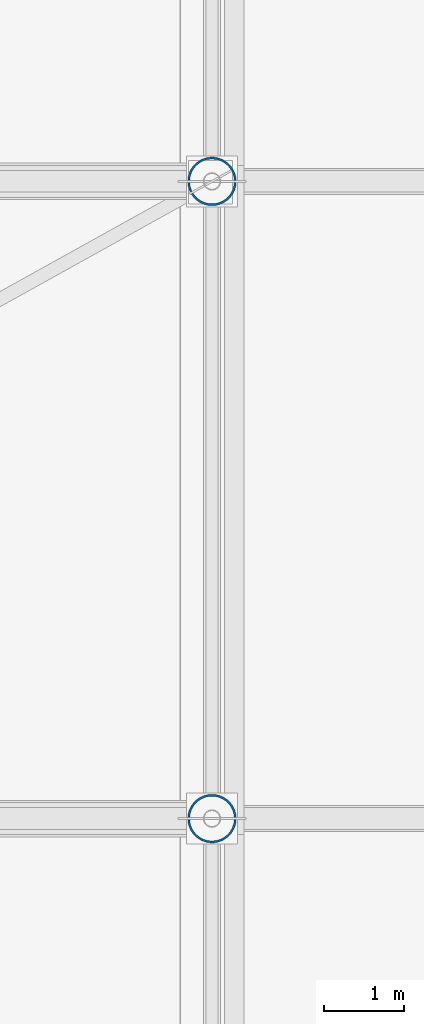
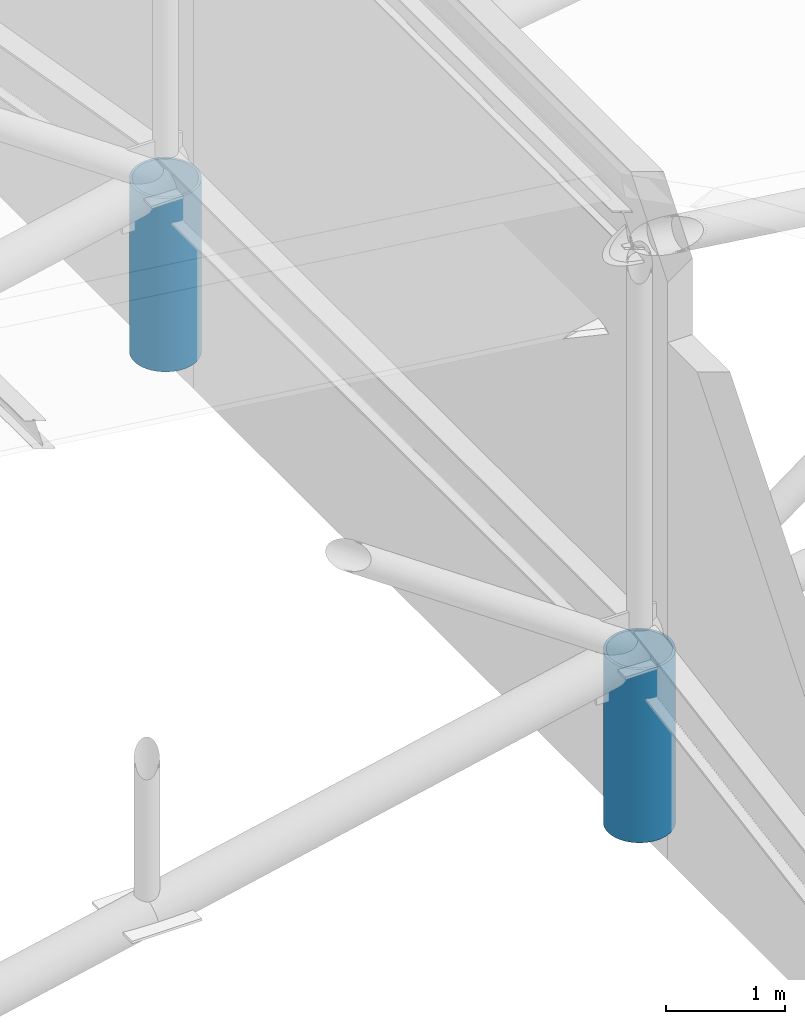
# One storey, part 6 of 146: 2 columns.
"""IFC4 building model written with IfcOpenShell, lengths in metres."""

from ifc_helpers import new_model, si_unit, direction, frame, origin, origin_2d, place, context, subcontext, project, spatial, hollow_circle, extrude, material, material_profile, profile_set, type_object, element, save


model = new_model("IFC4")

# Units and contexts
model_context = context("Model", 3, precision=1e-05, world=origin(), true_north=direction((0.0, 1.0)))
body_context = subcontext(model_context, "Body", "Model", "MODEL_VIEW")
ifc_project = project(units=[si_unit("LENGTHUNIT", "METRE"), si_unit("AREAUNIT", "SQUARE_METRE"), si_unit("VOLUMEUNIT", "CUBIC_METRE"), si_unit("PLANEANGLEUNIT", "RADIAN"), si_unit("MASSUNIT", "GRAM", prefix="KILO")], contexts=[model_context])

# Site, building, storey
site_placement = place(None, origin())
site = spatial("IfcSite", under=ifc_project, at=site_placement, CompositionType="ELEMENT")
building_placement = place(site_placement, origin())
building = spatial("IfcBuilding", under=site, at=building_placement, Name="Candeia Ridge Stadium", CompositionType="ELEMENT")
storey_placement = place(building_placement, frame((0.0, 0.0, 31.800048828125)))
storey = spatial("IfcBuildingStorey", under=building, at=storey_placement, Name="RF", CompositionType="ELEMENT", Elevation=31.800048828125)

# Columns
ifc_material = material(Name="Steel ASTM A572 Grade 50", Category="steel")
ifc_material_profile = material_profile(ifc_material, hollow_circle(Radius=0.304931640625, WallThickness=0.02490234375, at=origin_2d()), Name="CHS610x25", Category="steel")
ifc_profile_set = profile_set([ifc_material_profile], Name="Steel ASTM A572 Grade 50")
column_type = type_object("IfcColumnType", Name="Roof Mast Column CHS610x25", PredefinedType="PILASTER", material=ifc_profile_set)
for number, where, z_axis, x_axis, name in (
    (1, (193.0, 79.0, 0.0), (0.0, 0.0, 1.0), (1.0, 0.0, 0.0), "Roof truss steel mast column BC-OU-30 RF"),
    (2, (193.0, 87.0, 0.0), (0.0, 0.0, 1.0), (1.0, 0.0, 0.0), "Roof truss steel mast column BC-OU-31 RF"),
):
    element("IfcColumn", number, at=place(storey_placement, frame(where, z_axis=z_axis, x_axis=x_axis)), inside=storey, type_object=column_type, Name=name, PredefinedType="PILASTER", context=body_context, shape_type="SweptSolid", body=[
        extrude(hollow_circle(Radius=0.304931640625, WallThickness=0.02490234375, at=origin_2d()), origin(), (0.0, 0.0, 1.0), 1.78564453125),
    ])

save(model, "model.ifc")
